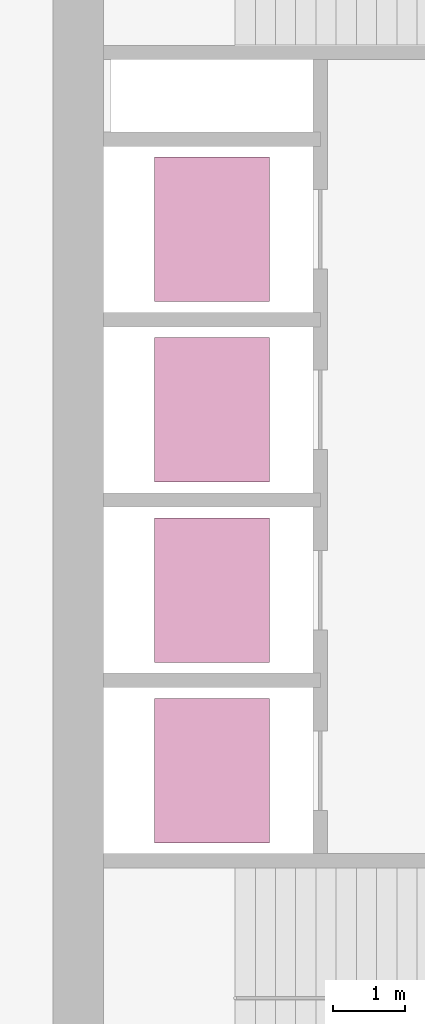
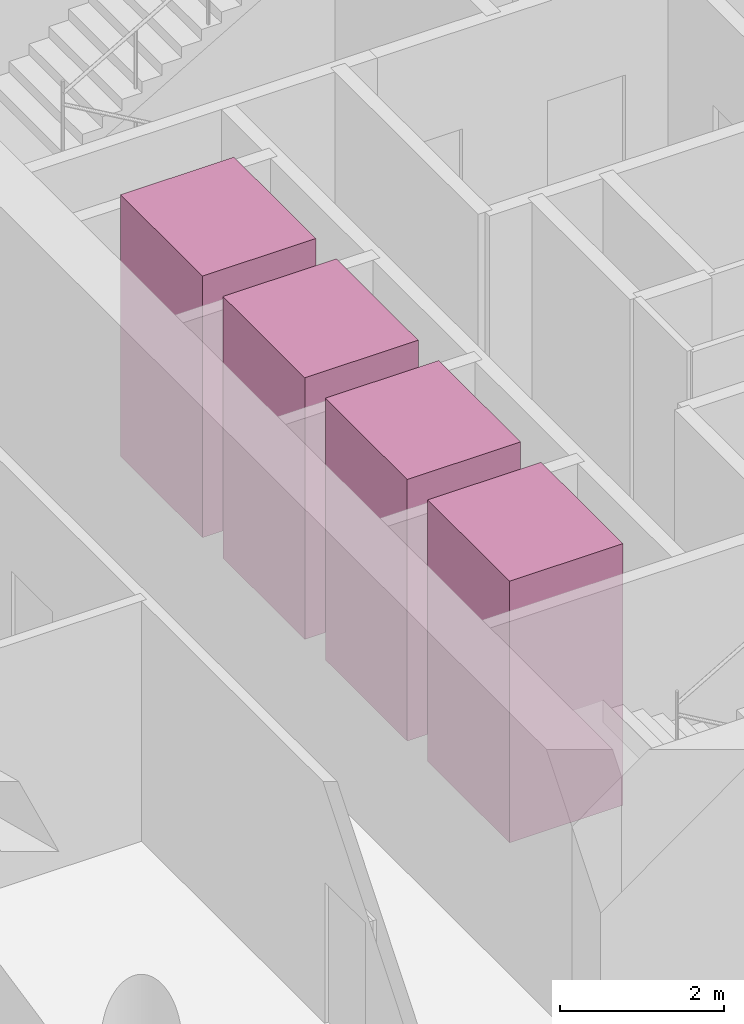
# One storey, part 9 of 9: 4 transport elements.
"""IFC4 building model written with IfcOpenShell, lengths in metres."""

from ifc_helpers import new_model, si_unit, direction, frame, origin, origin_2d, place, context, subcontext, project, spatial, rectangle, extrude, material, type_object, element, save


model = new_model("IFC4")

# Units and contexts
model_context = context("Model", 3, precision=1e-05, world=origin(), true_north=direction((0.0, 1.0)))
body_context = subcontext(model_context, "Body", "Model", "MODEL_VIEW")
ifc_project = project(units=[si_unit("LENGTHUNIT", "METRE"), si_unit("AREAUNIT", "SQUARE_METRE"), si_unit("VOLUMEUNIT", "CUBIC_METRE"), si_unit("PLANEANGLEUNIT", "RADIAN"), si_unit("MASSUNIT", "GRAM", prefix="KILO")], contexts=[model_context])

# Site, building, storey
site_placement = place(None, origin())
site = spatial("IfcSite", under=ifc_project, at=site_placement, CompositionType="ELEMENT")
building_placement = place(site_placement, origin())
building = spatial("IfcBuilding", under=site, at=building_placement, Name="Qaws Garden Tower", CompositionType="ELEMENT")
storey_placement = place(building_placement, frame((0.0, 0.0, 131.699951171875)))
storey = spatial("IfcBuildingStorey", under=building, at=storey_placement, Name="L31", CompositionType="ELEMENT", Elevation=131.699951171875)

# Transport elements
ifc_material = material(Name="Stainless steel 316", Category="steel")
transport_element_type = type_object("IfcTransportElementType", Name="Passenger lift car 2000x1600 1800 kg", PredefinedType="ELEVATOR", material=ifc_material)
for number, where, z_axis, x_axis, name in (
    (1, (10.199951171875, 13.64990234375, 0.0), (0.0, 0.0, 1.0), (1.0, 0.0, 0.0), "MR1"),
    (2, (10.199951171875, 16.14990234375, 0.0), (0.0, 0.0, 1.0), (1.0, 0.0, 0.0), "MR2"),
    (3, (10.199951171875, 18.64990234375, 0.0), (0.0, 0.0, 1.0), (1.0, 0.0, 0.0), "MR3"),
    (4, (10.199951171875, 21.14990234375, 0.0), (0.0, 0.0, 1.0), (1.0, 0.0, 0.0), "MR4"),
):
    element("IfcTransportElement", number, at=place(storey_placement, frame(where, z_axis=z_axis, x_axis=x_axis)), inside=storey, type_object=transport_element_type, Name=name, PredefinedType="ELEVATOR", context=body_context, shape_type="SweptSolid", body=[
        extrude(rectangle(XDim=1.60009765625, YDim=2.0, at=origin_2d()), origin(), (0.0, 0.0, 1.0), 3.89990234375),
    ])

save(model, "model.ifc")
